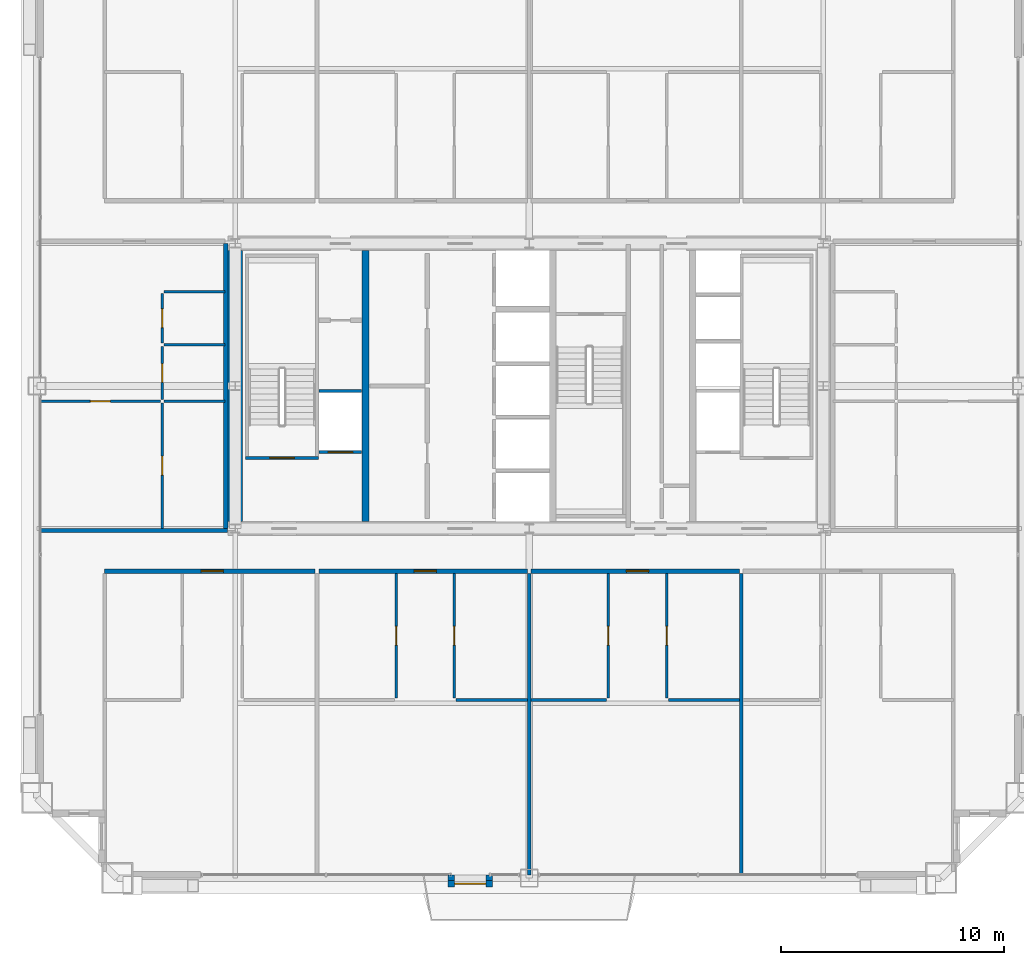
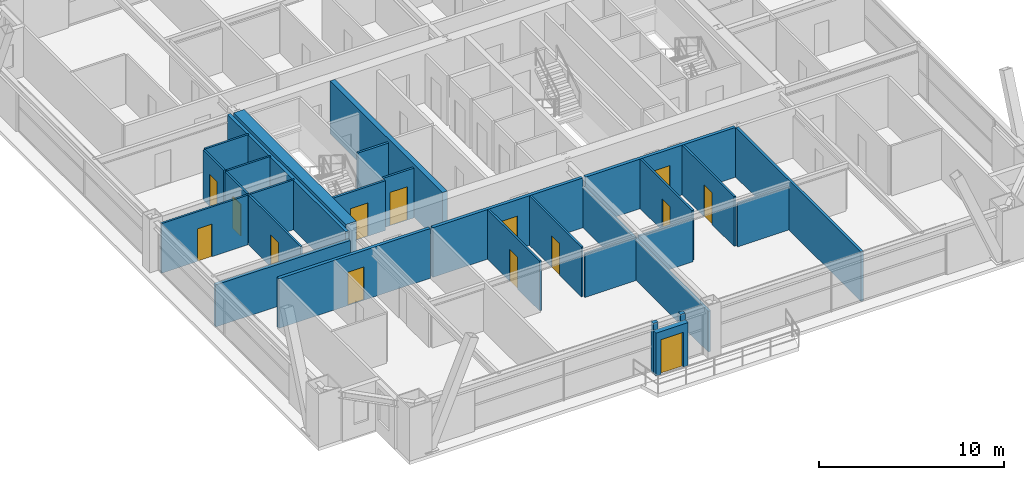
# One storey, part 37 of 42: 29 walls, 14 doors, 14 openings.
"""IFC4 building model written with IfcOpenShell, lengths in metres."""

import ifcopenshell
import ifcopenshell.guid

model = None  # the IFC model being written
_history = None  # IfcOwnerHistory: only IFC2X3 demands one
_inside = {}  # id of a spatial element -> (the spatial element, [elements in it])
_under = {}  # id of a project, library or spatial element -> (it, [spatial elements below it])
_declared = {}  # id of a project -> (the project, [libraries it declares])
_typed = {}  # id of a type object -> (the type object, [elements of that type])
_made_of = {}  # id of a material, layer set ... -> (it, [elements and type objects made of it])


def new_model(schema):
    """Start an empty IFC model of exactly this schema.

    Asked for "IFC4X3", IfcOpenShell would pick the latest addendum, in which some entities
    have other attributes; the version numbers below select the first issue.
    IFC2X3 requires an IfcOwnerHistory on every rooted entity: one is made here for all.
    """
    global model, _history
    if schema == "IFC4X3":
        model = ifcopenshell.file(schema_version=(4, 3, 0, 0))
    else:
        model = ifcopenshell.file(schema=schema)
    _inside.clear()
    _under.clear()
    _declared.clear()
    _typed.clear()
    _made_of.clear()
    _history = None
    if model.schema == "IFC2X3":
        org = make("IfcOrganization", Name="unknown")
        user = make(
            "IfcPersonAndOrganization",
            ThePerson=make("IfcPerson", FamilyName="unknown"),
            TheOrganization=org,
        )
        app = make(
            "IfcApplication",
            ApplicationDeveloper=org,
            Version="unknown",
            ApplicationFullName="unknown",
            ApplicationIdentifier="unknown",
        )
        _history = make(
            "IfcOwnerHistory",
            OwningUser=user,
            OwningApplication=app,
            ChangeAction="ADDED",
            CreationDate=0,
        )
    return model


def make(cls, **values):
    """One entity of the class cls with the attributes given. An attribute that is None is left unset."""
    return model.create_entity(
        cls, **{name: value for name, value in values.items() if value is not None}
    )


def rooted(cls, **values):
    """An entity with a GlobalId (a new one), such as an element, a storey or a relation."""
    return make(cls, GlobalId=ifcopenshell.guid.new(), OwnerHistory=_history, **values)


def si_unit(unit_type, name, prefix=None):
    """IfcSIUnit, for example si_unit("LENGTHUNIT", "METRE", prefix="MILLI")."""
    return make("IfcSIUnit", UnitType=unit_type, Prefix=prefix, Name=name)


def assignment(units):
    """IfcUnitAssignment: the units of a project."""
    return None if units is None else make("IfcUnitAssignment", Units=units)


def point(xyz):
    """IfcCartesianPoint."""
    return None if xyz is None else make("IfcCartesianPoint", Coordinates=xyz)


def direction(xyz):
    """IfcDirection."""
    return None if xyz is None else make("IfcDirection", DirectionRatios=xyz)


def frame(location, z_axis=None, x_axis=None):
    """IfcAxis2Placement3D, a coordinate frame: its origin and axes. An axis left out is left unset."""
    return make(
        "IfcAxis2Placement3D",
        Location=point(location),
        Axis=direction(z_axis),
        RefDirection=direction(x_axis),
    )


def frame_2d(location, x_axis=None):
    """IfcAxis2Placement2D, a coordinate frame in the plane: its origin and x axis."""
    return make(
        "IfcAxis2Placement2D", Location=point(location), RefDirection=direction(x_axis)
    )


def origin():
    """The frame at (0, 0, 0) with its axes left unset."""
    return frame((0.0, 0.0, 0.0))


def place(relative_to, where):
    """IfcLocalPlacement: puts the frame where relative to a parent placement (None: the world)."""
    return make(
        "IfcLocalPlacement", PlacementRelTo=relative_to, RelativePlacement=where
    )


def context(
    kind, dimensions, precision=None, world=None, true_north=None, identifier=None
):
    """IfcGeometricRepresentationContext, for example the 3D "Model" context."""
    return make(
        "IfcGeometricRepresentationContext",
        ContextIdentifier=identifier,
        ContextType=kind,
        CoordinateSpaceDimension=dimensions,
        Precision=precision,
        WorldCoordinateSystem=world,
        TrueNorth=true_north,
    )


def subcontext(parent, identifier, kind, view, scale=None):
    """IfcGeometricRepresentationSubContext, for example "Body" below "Model"."""
    return make(
        "IfcGeometricRepresentationSubContext",
        ContextIdentifier=identifier,
        ContextType=kind,
        ParentContext=parent,
        TargetScale=scale,
        TargetView=view,
    )


def project(units=None, contexts=None):
    """IfcProject with its units and contexts."""
    return rooted(
        "IfcProject",
        Name="project",
        RepresentationContexts=contexts,
        UnitsInContext=assignment(units),
    )


def spatial(cls, under=None, at=None, **own):
    """A site, building, storey or space (cls), placed at a placement, below another one or the project."""
    s = rooted(cls, ObjectPlacement=at, **own)
    if under is not None:
        _under.setdefault(under.id(), (under, []))[1].append(s)
    return s


def profile(cls, at=None, kind="AREA", **sizes):
    """A parametric profile (cls). Its sizes go by their IFC names, for example OverallWidth=200.0."""
    return make(cls, ProfileType=kind, Position=at, **sizes)


def rectangle(**sizes):
    """IfcRectangleProfileDef."""
    return profile("IfcRectangleProfileDef", **sizes)


def extrude(swept, where, along, depth):
    """IfcExtrudedAreaSolid: the profile swept, set in the frame where, extruded along a direction by depth."""
    return make(
        "IfcExtrudedAreaSolid",
        SweptArea=swept,
        Position=where,
        ExtrudedDirection=direction(along),
        Depth=depth,
    )


def shape(context_of_items, identifier, shape_type, items):
    """IfcShapeRepresentation: the items that make up one representation, for example the "Body"."""
    return make(
        "IfcShapeRepresentation",
        ContextOfItems=context_of_items,
        RepresentationIdentifier=identifier,
        RepresentationType=shape_type,
        Items=items,
    )


def source(mapping_origin, context_of_items, identifier, shape_type, items):
    """IfcRepresentationMap: a shape defined once, which mapped items show again and again."""
    return make(
        "IfcRepresentationMap",
        MappingOrigin=mapping_origin,
        MappedRepresentation=shape(context_of_items, identifier, shape_type, items),
    )


def transform(
    local_origin,
    x_axis=None,
    y_axis=None,
    z_axis=None,
    scale=None,
    scale2=None,
    scale3=None,
    uniform=True,
):
    """IfcCartesianTransformationOperator3D, or its non-uniform kind. x_axis, y_axis, z_axis: its Axis1, 2, 3."""
    if uniform:
        return make(
            "IfcCartesianTransformationOperator3D",
            Axis1=direction(x_axis),
            Axis2=direction(y_axis),
            LocalOrigin=point(local_origin),
            Scale=scale,
            Axis3=direction(z_axis),
        )
    return make(
        "IfcCartesianTransformationOperator3DnonUniform",
        Axis1=direction(x_axis),
        Axis2=direction(y_axis),
        LocalOrigin=point(local_origin),
        Scale=scale,
        Axis3=direction(z_axis),
        Scale2=scale2,
        Scale3=scale3,
    )


def mapped(mapping_source, mapping_target):
    """IfcMappedItem: shows the shape of a source again, moved by a transform."""
    return make(
        "IfcMappedItem", MappingSource=mapping_source, MappingTarget=mapping_target
    )


def material(Name=None, Category=None):
    """IfcMaterial."""
    return make("IfcMaterial", Name=Name, Category=Category)


def layer(
    of_material, thickness, ventilated=None, Name=None, Category=None, Priority=None
):
    """IfcMaterialLayer: one layer of a wall or slab, of a material (None: an air gap)."""
    return make(
        "IfcMaterialLayer",
        Material=of_material,
        LayerThickness=thickness,
        IsVentilated=ventilated,
        Name=Name,
        Category=Category,
        Priority=Priority,
    )


def layer_set(layers, Name=None):
    """IfcMaterialLayerSet."""
    return make("IfcMaterialLayerSet", MaterialLayers=layers, LayerSetName=Name)


def made_of(thing, what):
    """Note that an element or type object is made of a material, layer set ...; save() writes the relation."""
    if what is not None:
        _made_of.setdefault(what.id(), (what, []))[1].append(thing)
    return thing


def type_object(cls, material=None, **own):
    """A type object (cls), such as IfcWallType, which elements share."""
    return made_of(rooted(cls, **own), material)


def element(
    cls,
    number,
    at=None,
    inside=None,
    cuts=None,
    type_object=None,
    material=None,
    context=None,
    identifier="Body",
    shape_type=None,
    held_by="IfcProductDefinitionShape",
    body=None,
    shapes=None,
    **own,
):
    """One element of the class cls, such as IfcWall. Its Tag is "e" and its number.

    at: its placement. inside: the storey or other place that contains it. cuts: it is an
    opening in that element (IfcRelVoidsElement). A single representation is given by context,
    identifier, shape_type and body (its items); several are given by shapes. held_by: the class
    of the entity that holds the representations. save() writes the other relations.
    """
    e = rooted(cls, Tag="e%d" % number, ObjectPlacement=at, **own)
    if body is not None:
        shapes = [shape(context, identifier, shape_type, body)]
    if shapes is not None:
        e.Representation = make(held_by, Representations=shapes)
    if inside is not None:
        _inside.setdefault(inside.id(), (inside, []))[1].append(e)
    if cuts is not None:
        rooted(
            "IfcRelVoidsElement", RelatingBuildingElement=cuts, RelatedOpeningElement=e
        )
    if type_object is not None:
        _typed.setdefault(type_object.id(), (type_object, []))[1].append(e)
    return made_of(e, material)


def fill(opening, filler):
    """IfcRelFillsElement: the door or window that sits in an opening."""
    return rooted(
        "IfcRelFillsElement",
        RelatingOpeningElement=opening,
        RelatedBuildingElement=filler,
    )


def aggregate(whole, parts):
    """IfcRelAggregates: a whole, such as a stair, and the parts it consists of."""
    return rooted("IfcRelAggregates", RelatingObject=whole, RelatedObjects=parts)


def save(model, path):
    """Write the relations noted so far, then the file.

    IfcRelAggregates (storeys below a building ...), IfcRelContainedInSpatialStructure (elements
    in a storey), IfcRelDefinesByType, IfcRelAssociatesMaterial and IfcRelDeclares: one each for
    every whole, place, type object, material and project.
    """
    for whole, parts in _under.values():
        aggregate(whole, parts)
    for where, things in _inside.values():
        rooted(
            "IfcRelContainedInSpatialStructure",
            RelatedElements=things,
            RelatingStructure=where,
        )
    for kind, things in _typed.values():
        rooted("IfcRelDefinesByType", RelatedObjects=things, RelatingType=kind)
    for what, things in _made_of.values():
        rooted("IfcRelAssociatesMaterial", RelatedObjects=things, RelatingMaterial=what)
    for by, libraries in _declared.values():
        rooted("IfcRelDeclares", RelatingContext=by, RelatedDefinitions=libraries)
    model.write(path)


model = new_model("IFC4")

# Units and contexts
model_context = context("Model", 3, precision=1e-05, world=origin(), true_north=direction((0.0, 1.0)))
body_context = subcontext(model_context, "Body", "Model", "MODEL_VIEW")
ifc_project = project(units=[si_unit("LENGTHUNIT", "METRE"), si_unit("AREAUNIT", "SQUARE_METRE"), si_unit("VOLUMEUNIT", "CUBIC_METRE"), si_unit("PLANEANGLEUNIT", "RADIAN"), si_unit("MASSUNIT", "GRAM", prefix="KILO"), si_unit("THERMODYNAMICTEMPERATUREUNIT", "KELVIN"), si_unit("POWERUNIT", "WATT")], contexts=[model_context])

# Site, building, storey
site_placement = place(None, origin())
site = spatial("IfcSite", under=ifc_project, at=site_placement, CompositionType="ELEMENT")
building_placement = place(site_placement, origin())
building = spatial("IfcBuilding", under=site, at=building_placement, Name="Yuzanri Waterfront Tower", CompositionType="ELEMENT")
storey_placement = place(building_placement, frame((0.0, 0.0, 184.5)))
storey = spatial("IfcBuildingStorey", under=building, at=storey_placement, Name="L48", CompositionType="ELEMENT", Elevation=184.5)

# Wall, opening, door
ifc_material_1 = material(Name="Moisture-Resistant Gypsum Stud Wall", Category="gypsum")
ifc_layer_1 = layer(ifc_material_1, 0.1201171875)
ifc_layer_set_1 = layer_set([ifc_layer_1], Name="Moisture-Resistant Gypsum Stud Wall")
wall_type_1 = type_object("IfcWallType", Name="Bathroom and Kitchen Wet Partition 120", PredefinedType="PARTITIONING", material=ifc_layer_set_1)
wall_1_placement = place(storey_placement, frame((31.02392578125, 11.780029296875, 0.0), z_axis=(0.0, 0.0, 1.0), x_axis=(0.0, 1.0, 0.0)))
wall_1 = element("IfcWall", 1, at=wall_1_placement, inside=storey, type_object=wall_type_1, Name="L48 Partition UW-L48-RS2-SUB-1-E", PredefinedType="PARTITIONING", context=body_context, shape_type="SweptSolid", body=[
    extrude(rectangle(XDim=5.60986328125, YDim=0.1201171875, at=frame_2d((2.804931640625, 0.0))), origin(), (0.0, 0.0, 1.0), 3.280029296875),
])
opening_1_placement = place(wall_1_placement, frame((2.3798828125, 0.0, 0.0)))
opening_1 = element("IfcOpeningElement", 2, at=opening_1_placement, cuts=wall_1, Name="Opening ID-0850", PredefinedType="OPENING", context=body_context, shape_type="SweptSolid", body=[
    extrude(rectangle(XDim=0.85009765625, YDim=2.10009765625, at=frame_2d((0.425048828125, 1.050048828125))), frame((0.0, 0.074951171875, 0.0), z_axis=(0.0, -1.0, 0.0), x_axis=(1.0, 0.0, 0.0)), (0.0, 0.0, 1.0), 0.14990234375),
])
ifc_material_2 = material(Name="Moisture-Resistant Lacquered Timber", Category="wood")
door_type_1 = type_object("IfcDoorType", Name="En-Suite Bathroom and Kitchen Swing Door 850x2100", OperationType="NOTDEFINED", PredefinedType="DOOR", material=ifc_material_2)
shared_shape_1 = source(origin(), body_context, "Body", "SweptSolid", [
    extrude(rectangle(XDim=0.85009765625, YDim=2.10009765625, at=frame_2d((0.425048828125, 1.050048828125))), frame((0.0, 0.02490234375, 0.0), z_axis=(0.0, -1.0, 0.0), x_axis=(1.0, 0.0, 0.0)), (0.0, 0.0, 1.0), 0.050048828125),
])
door_1_placement = place(opening_1_placement, origin())
door_1 = element("IfcDoor", 3, at=door_1_placement, inside=storey, type_object=door_type_1, Name="L48 Suite Interior Room Door", OperationType="SINGLE_SWING_LEFT", OverallHeight=2.10009765625, OverallWidth=0.85009765625, PredefinedType="DOOR", context=body_context, shape_type="MappedRepresentation", body=[
    mapped(shared_shape_1, transform((0.0, 0.0, 0.0), scale=1.0)),
])
fill(opening_1, door_1)

wall_2_placement = place(storey_placement, frame((33.639892578125, 11.780029296875, 0.0), z_axis=(0.0, 0.0, 1.0), x_axis=(0.0, 1.0, 0.0)))
wall_2 = element("IfcWall", 4, at=wall_2_placement, inside=storey, type_object=wall_type_1, Name="L48 Partition UW-L48-RS2-SUB-2-W", PredefinedType="PARTITIONING", context=body_context, shape_type="SweptSolid", body=[
    extrude(rectangle(XDim=5.60986328125, YDim=0.1201171875, at=frame_2d((2.804931640625, 0.0))), origin(), (0.0, 0.0, 1.0), 3.280029296875),
])
opening_2_placement = place(wall_2_placement, frame((2.3798828125, 0.0, 0.0)))
opening_2 = element("IfcOpeningElement", 5, at=opening_2_placement, cuts=wall_2, Name="Opening ID-0850", PredefinedType="OPENING", context=body_context, shape_type="SweptSolid", body=[
    extrude(rectangle(XDim=0.85009765625, YDim=2.10009765625, at=frame_2d((0.425048828125, 1.050048828125))), frame((0.0, 0.074951171875, 0.0), z_axis=(0.0, -1.0, 0.0), x_axis=(1.0, 0.0, 0.0)), (0.0, 0.0, 1.0), 0.14990234375),
])
door_2_placement = place(opening_2_placement, origin())
door_2 = element("IfcDoor", 6, at=door_2_placement, inside=storey, type_object=door_type_1, Name="L48 Suite Interior Room Door", OperationType="SINGLE_SWING_RIGHT", OverallHeight=2.10009765625, OverallWidth=0.85009765625, PredefinedType="DOOR", context=body_context, shape_type="MappedRepresentation", body=[
    mapped(shared_shape_1, transform((0.0, 0.0, 0.0), scale=1.0)),
])
fill(opening_2, door_2)

wall_3_placement = place(storey_placement, frame((40.553955078125, 11.780029296875, 0.0), z_axis=(0.0, 0.0, 1.0), x_axis=(0.0, 1.0, 0.0)))
wall_3 = element("IfcWall", 7, at=wall_3_placement, inside=storey, type_object=wall_type_1, Name="L48 Partition UW-L48-RS3-SUB-1-E", PredefinedType="PARTITIONING", context=body_context, shape_type="SweptSolid", body=[
    extrude(rectangle(XDim=5.60986328125, YDim=0.1201171875, at=frame_2d((2.804931640625, 0.0))), origin(), (0.0, 0.0, 1.0), 3.280029296875),
])
opening_3_placement = place(wall_3_placement, frame((2.3798828125, 0.0, 0.0)))
opening_3 = element("IfcOpeningElement", 8, at=opening_3_placement, cuts=wall_3, Name="Opening ID-0850", PredefinedType="OPENING", context=body_context, shape_type="SweptSolid", body=[
    extrude(rectangle(XDim=0.85009765625, YDim=2.10009765625, at=frame_2d((0.425048828125, 1.050048828125))), frame((0.0, 0.074951171875, 0.0), z_axis=(0.0, -1.0, 0.0), x_axis=(1.0, 0.0, 0.0)), (0.0, 0.0, 1.0), 0.14990234375),
])
door_3_placement = place(opening_3_placement, origin())
door_3 = element("IfcDoor", 9, at=door_3_placement, inside=storey, type_object=door_type_1, Name="L48 Suite Interior Room Door", OperationType="SINGLE_SWING_RIGHT", OverallHeight=2.10009765625, OverallWidth=0.85009765625, PredefinedType="DOOR", context=body_context, shape_type="MappedRepresentation", body=[
    mapped(shared_shape_1, transform((0.0, 0.0, 0.0), scale=1.0)),
])
fill(opening_3, door_3)

wall_4_placement = place(storey_placement, frame((43.169921875, 11.780029296875, 0.0), z_axis=(0.0, 0.0, 1.0), x_axis=(0.0, 1.0, 0.0)))
wall_4 = element("IfcWall", 10, at=wall_4_placement, inside=storey, type_object=wall_type_1, Name="L48 Partition UW-L48-RS3-SUB-2-W", PredefinedType="PARTITIONING", context=body_context, shape_type="SweptSolid", body=[
    extrude(rectangle(XDim=5.60986328125, YDim=0.1201171875, at=frame_2d((2.804931640625, 0.0))), origin(), (0.0, 0.0, 1.0), 3.280029296875),
])
opening_4_placement = place(wall_4_placement, frame((2.3798828125, 0.0, 0.0)))
opening_4 = element("IfcOpeningElement", 11, at=opening_4_placement, cuts=wall_4, Name="Opening ID-0850", PredefinedType="OPENING", context=body_context, shape_type="SweptSolid", body=[
    extrude(rectangle(XDim=0.85009765625, YDim=2.10009765625, at=frame_2d((0.425048828125, 1.050048828125))), frame((0.0, 0.074951171875, 0.0), z_axis=(0.0, -1.0, 0.0), x_axis=(1.0, 0.0, 0.0)), (0.0, 0.0, 1.0), 0.14990234375),
])
door_4_placement = place(opening_4_placement, origin())
door_4 = element("IfcDoor", 12, at=door_4_placement, inside=storey, type_object=door_type_1, Name="L48 Suite Interior Room Door", OperationType="SINGLE_SWING_LEFT", OverallHeight=2.10009765625, OverallWidth=0.85009765625, PredefinedType="DOOR", context=body_context, shape_type="MappedRepresentation", body=[
    mapped(shared_shape_1, transform((0.0, 0.0, 0.0), scale=1.0)),
])
fill(opening_4, door_4)

wall_5_placement = place(storey_placement, frame((20.52001953125, 25.193115234375, 0.0), z_axis=(0.0, 0.0, 1.0), x_axis=(0.0, 1.0, 0.0)))
wall_5 = element("IfcWall", 13, at=wall_5_placement, inside=storey, type_object=wall_type_1, Name="L48 Partition UW-L48-RW1-SUB-1-W", PredefinedType="PARTITIONING", context=body_context, shape_type="SweptSolid", body=[
    extrude(rectangle(XDim=2.37890625, YDim=0.1201171875, at=frame_2d((1.189453125, 0.0))), origin(), (0.0, 0.0, 1.0), 3.280029296875),
])
opening_5_placement = place(wall_5_placement, frame((0.764404296875, 0.0, 0.0)))
opening_5 = element("IfcOpeningElement", 14, at=opening_5_placement, cuts=wall_5, Name="Opening ID-0850", PredefinedType="OPENING", context=body_context, shape_type="SweptSolid", body=[
    extrude(rectangle(XDim=0.85009765625, YDim=2.10009765625, at=frame_2d((0.425048828125, 1.050048828125))), frame((0.0, 0.074951171875, 0.0), z_axis=(0.0, -1.0, 0.0), x_axis=(1.0, 0.0, 0.0)), (0.0, 0.0, 1.0), 0.14990234375),
])
door_5_placement = place(opening_5_placement, origin())
door_5 = element("IfcDoor", 15, at=door_5_placement, inside=storey, type_object=door_type_1, Name="L48 Suite Interior Room Door", OperationType="SINGLE_SWING_RIGHT", OverallHeight=2.10009765625, OverallWidth=0.85009765625, PredefinedType="DOOR", context=body_context, shape_type="MappedRepresentation", body=[
    mapped(shared_shape_1, transform((0.0, 0.0, 0.0), scale=1.0)),
])
fill(opening_5, door_5)

wall_6_placement = place(storey_placement, frame((20.52001953125, 27.73193359375, 0.0), z_axis=(0.0, 0.0, 1.0), x_axis=(0.0, 1.0, 0.0)))
wall_6 = element("IfcWall", 16, at=wall_6_placement, inside=storey, type_object=wall_type_1, Name="L48 Partition UW-L48-RW1-SUB-2-W", PredefinedType="PARTITIONING", context=body_context, shape_type="SweptSolid", body=[
    extrude(rectangle(XDim=2.218994140625, YDim=0.1201171875, at=frame_2d((1.109375, 0.0))), origin(), (0.0, 0.0, 1.0), 3.280029296875),
])
opening_6_placement = place(wall_6_placement, frame((0.6845703125, 0.0, 0.0)))
opening_6 = element("IfcOpeningElement", 17, at=opening_6_placement, cuts=wall_6, Name="Opening ID-0850", PredefinedType="OPENING", context=body_context, shape_type="SweptSolid", body=[
    extrude(rectangle(XDim=0.85009765625, YDim=2.10009765625, at=frame_2d((0.425048828125, 1.050048828125))), frame((0.0, 0.074951171875, 0.0), z_axis=(0.0, -1.0, 0.0), x_axis=(1.0, 0.0, 0.0)), (0.0, 0.0, 1.0), 0.14990234375),
])
door_6_placement = place(opening_6_placement, origin())
door_6 = element("IfcDoor", 18, at=door_6_placement, inside=storey, type_object=door_type_1, Name="L48 Suite Interior Room Door", OperationType="SINGLE_SWING_LEFT", OverallHeight=2.10009765625, OverallWidth=0.85009765625, PredefinedType="DOOR", context=body_context, shape_type="MappedRepresentation", body=[
    mapped(shared_shape_1, transform((0.0, 0.0, 0.0), scale=1.0)),
])
fill(opening_6, door_6)

wall_7_placement = place(storey_placement, frame((15.050048828125, 25.113037109375, 0.0), z_axis=(0.0, 0.0, 1.0), x_axis=(1.0, 0.0, 0.0)))
wall_7 = element("IfcWall", 19, at=wall_7_placement, inside=storey, type_object=wall_type_1, Name="L48 Partition UW-L48-RW1-SUB-3-N", PredefinedType="PARTITIONING", context=body_context, shape_type="SweptSolid", body=[
    extrude(rectangle(XDim=5.389892578125, YDim=0.1201171875, at=frame_2d((2.69482421875, 0.0))), origin(), (0.0, 0.0, 1.0), 3.280029296875),
])
opening_7_placement = place(wall_7_placement, frame((2.2451171875, 0.0, 0.0)))
opening_7 = element("IfcOpeningElement", 20, at=opening_7_placement, cuts=wall_7, Name="Opening ID-0900", PredefinedType="OPENING", context=body_context, shape_type="SweptSolid", body=[
    extrude(rectangle(XDim=0.89990234375, YDim=2.14990234375, at=frame_2d((0.449951171875, 1.074951171875))), frame((0.0, 0.074951171875, 0.0), z_axis=(0.0, -1.0, 0.0), x_axis=(1.0, 0.0, 0.0)), (0.0, 0.0, 1.0), 0.14990234375),
])
ifc_material_3 = material(Name="Stained Walnut Veneer Timber", Category="wood")
door_type_2 = type_object("IfcDoorType", Name="Bedroom and Study Interior Swing Door 900x2150", OperationType="NOTDEFINED", PredefinedType="DOOR", material=ifc_material_3)
shared_shape_2 = source(origin(), body_context, "Body", "SweptSolid", [
    extrude(rectangle(XDim=0.89990234375, YDim=2.14990234375, at=frame_2d((0.449951171875, 1.074951171875))), frame((0.0, 0.02490234375, 0.0), z_axis=(0.0, -1.0, 0.0), x_axis=(1.0, 0.0, 0.0)), (0.0, 0.0, 1.0), 0.050048828125),
])
door_7_placement = place(opening_7_placement, origin())
door_7 = element("IfcDoor", 21, at=door_7_placement, inside=storey, type_object=door_type_2, Name="L48 Suite Interior Room Door", OperationType="SINGLE_SWING_RIGHT", OverallHeight=2.14990234375, OverallWidth=0.89990234375, PredefinedType="DOOR", context=body_context, shape_type="MappedRepresentation", body=[
    mapped(shared_shape_2, transform((0.0, 0.0, 0.0), scale=1.0)),
])
fill(opening_7, door_7)

wall_8_placement = place(storey_placement, frame((20.52001953125, 19.409912109375, 0.0), z_axis=(0.0, 0.0, 1.0), x_axis=(0.0, 1.0, 0.0)))
wall_8 = element("IfcWall", 22, at=wall_8_placement, inside=storey, type_object=wall_type_1, Name="L48 Partition UW-L48-RW1-SUB-3-E", PredefinedType="PARTITIONING", context=body_context, shape_type="SweptSolid", body=[
    extrude(rectangle(XDim=5.623046875, YDim=0.1201171875, at=frame_2d((2.8115234375, 0.0))), origin(), (0.0, 0.0, 1.0), 3.280029296875),
])
opening_8_placement = place(wall_8_placement, frame((2.386474609375, 0.0, 0.0)))
opening_8 = element("IfcOpeningElement", 23, at=opening_8_placement, cuts=wall_8, Name="Opening ID-0850", PredefinedType="OPENING", context=body_context, shape_type="SweptSolid", body=[
    extrude(rectangle(XDim=0.85009765625, YDim=2.10009765625, at=frame_2d((0.425048828125, 1.050048828125))), frame((0.0, 0.074951171875, 0.0), z_axis=(0.0, -1.0, 0.0), x_axis=(1.0, 0.0, 0.0)), (0.0, 0.0, 1.0), 0.14990234375),
])
door_8_placement = place(opening_8_placement, origin())
door_8 = element("IfcDoor", 24, at=door_8_placement, inside=storey, type_object=door_type_1, Name="L48 Suite Interior Room Door", OperationType="SINGLE_SWING_LEFT", OverallHeight=2.10009765625, OverallWidth=0.85009765625, PredefinedType="DOOR", context=body_context, shape_type="MappedRepresentation", body=[
    mapped(shared_shape_1, transform((0.0, 0.0, 0.0), scale=1.0)),
])
fill(opening_8, door_8)

ifc_material_4 = material(Name="Honed Chongqing Dark Basalt Stone", Category="masonry")
ifc_layer_2 = layer(ifc_material_4, 0.300048828125)
ifc_layer_set_2 = layer_set([ifc_layer_2], Name="Honed Chongqing Dark Basalt Stone")
wall_type_2 = type_object("IfcWallType", Name="Bronze Rainscreen Insulated Spandrel Portal Wall 300", PredefinedType="SOLIDWALL", material=ifc_layer_set_2)
wall_9_placement = place(storey_placement, frame((33.35009765625, 3.449951171875, 0.0), z_axis=(0.0, 0.0, 1.0), x_axis=(1.0, 0.0, 0.0)))
wall_9 = element("IfcWall", 25, at=wall_9_placement, inside=storey, type_object=wall_type_2, Name="L48 S Terrace Door Portal Wall", PredefinedType="SOLIDWALL", context=body_context, shape_type="SweptSolid", body=[
    extrude(rectangle(XDim=2.0, YDim=0.300048828125, at=frame_2d((1.0, 0.0))), origin(), (0.0, 0.0, 1.0), 2.8349609375),
])
opening_9_placement = place(wall_9_placement, frame((0.300048828125, 0.0, 0.0)))
opening_9 = element("IfcOpeningElement", 26, at=opening_9_placement, cuts=wall_9, Name="Opening TD-1400", PredefinedType="OPENING", context=body_context, shape_type="SweptSolid", body=[
    extrude(rectangle(XDim=1.39990234375, YDim=2.300048828125, at=frame_2d((0.699951171875, 1.14990234375))), frame((0.0, 0.1650390625, 0.0), z_axis=(0.0, -1.0, 0.0), x_axis=(1.0, 0.0, 0.0)), (0.0, 0.0, 1.0), 0.329833984375),
])
ifc_material_5 = material(Name="Anodized Architectural Bronze", Category="metal")
door_type_3 = type_object("IfcDoorType", Name="Anodized Bronze Balcony and Terrace Glazed Double Door 1400x2300", OperationType="NOTDEFINED", PredefinedType="DOOR", material=ifc_material_5)
shared_shape_3 = source(origin(), body_context, "Body", "SweptSolid", [
    extrude(rectangle(XDim=1.39990234375, YDim=2.300048828125, at=frame_2d((0.699951171875, 1.14990234375))), frame((0.0, 0.02490234375, 0.0), z_axis=(0.0, -1.0, 0.0), x_axis=(1.0, 0.0, 0.0)), (0.0, 0.0, 1.0), 0.050048828125),
])
door_9_placement = place(opening_9_placement, origin())
door_9 = element("IfcDoor", 27, at=door_9_placement, inside=storey, type_object=door_type_3, Name="L48 S Terrace Glazed Double Door", OperationType="DOUBLE_DOOR_SINGLE_SWING", OverallHeight=2.300048828125, OverallWidth=1.39990234375, PredefinedType="DOOR", context=body_context, shape_type="MappedRepresentation", body=[
    mapped(shared_shape_3, transform((0.0, 0.0, 0.0), scale=1.0)),
])
fill(opening_9, door_9)

ifc_material_6 = material(Name="Concrete C40", Category="concrete")
ifc_layer_3 = layer(ifc_material_6, 0.139892578125)
ifc_layer_set_3 = layer_set([ifc_layer_3], Name="Concrete C40")
wall_type_3 = type_object("IfcWallType", Name="Core Stair Liner and Hoistway Shaft Wall 140", PredefinedType="SOLIDWALL", material=ifc_layer_set_3)
wall_10_placement = place(storey_placement, frame((27.56005859375, 22.830078125, 0.0), z_axis=(0.0, 0.0, 1.0), x_axis=(1.0, 0.0, 0.0)))
wall_10 = element("IfcWall", 28, at=wall_10_placement, inside=storey, type_object=wall_type_3, Name="L48 Lift FL-01 Front Shaft Wall", PredefinedType="SOLIDWALL", context=body_context, shape_type="SweptSolid", body=[
    extrude(rectangle(XDim=1.919921875, YDim=0.139892578125, at=frame_2d((0.9599609375, 0.0))), origin(), (0.0, 0.0, 1.0), 3.280029296875),
])
opening_10_placement = place(wall_10_placement, frame((0.409912109375, 0.0, 0.0)))
opening_10 = element("IfcOpeningElement", 29, at=opening_10_placement, cuts=wall_10, Name="Opening LD-FL-01", PredefinedType="OPENING", context=body_context, shape_type="SweptSolid", body=[
    extrude(rectangle(XDim=1.10009765625, YDim=2.199951171875, at=frame_2d((0.550048828125, 1.10009765625))), frame((0.0, 0.0849609375, 0.0), z_axis=(0.0, -1.0, 0.0), x_axis=(1.0, 0.0, 0.0)), (0.0, 0.0, 1.0), 0.169677734375),
])
ifc_material_7 = material(Name="Brushed Bronze and Stainless Steel Cab", Category="steel")
door_type_4 = type_object("IfcDoorType", Name="Center-Parting Bronze Lift Landing Sliding Door 1100x2200", OperationType="NOTDEFINED", PredefinedType="DOOR", material=ifc_material_7)
shared_shape_4 = source(origin(), body_context, "Body", "SweptSolid", [
    extrude(rectangle(XDim=1.10009765625, YDim=2.199951171875, at=frame_2d((0.550048828125, 1.10009765625))), frame((0.0, 0.02490234375, 0.0), z_axis=(0.0, -1.0, 0.0), x_axis=(1.0, 0.0, 0.0)), (0.0, 0.0, 1.0), 0.050048828125),
])
door_10_placement = place(opening_10_placement, origin())
door_10 = element("IfcDoor", 30, at=door_10_placement, inside=storey, type_object=door_type_4, Name="L48 FL-01 Lift Landing Sliding Door", OperationType="SLIDING_TO_LEFT", OverallHeight=2.199951171875, OverallWidth=1.10009765625, PredefinedType="DOOR", context=body_context, shape_type="MappedRepresentation", body=[
    mapped(shared_shape_4, transform((0.0, 0.0, 0.0), scale=1.0)),
])
fill(opening_10, door_10)

wall_11_placement = place(storey_placement, frame((24.260009765625, 22.570068359375, 0.0), z_axis=(0.0, 0.0, 1.0), x_axis=(1.0, 0.0, 0.0)))
wall_11 = element("IfcWall", 31, at=wall_11_placement, inside=storey, type_object=wall_type_3, Name="L48 Shaft Wall STW-L48-ST-01-S", PredefinedType="SOLIDWALL", context=body_context, shape_type="SweptSolid", body=[
    extrude(rectangle(XDim=3.280029296875, YDim=0.139892578125, at=frame_2d((1.64013671875, 0.0))), origin(), (0.0, 0.0, 1.0), 3.280029296875),
])
opening_11_placement = place(wall_11_placement, frame((1.090087890625, 0.0, 0.0)))
opening_11 = element("IfcOpeningElement", 32, at=opening_11_placement, cuts=wall_11, Name="Opening FD-1100", PredefinedType="OPENING", context=body_context, shape_type="SweptSolid", body=[
    extrude(rectangle(XDim=1.10009765625, YDim=2.199951171875, at=frame_2d((0.550048828125, 1.10009765625))), frame((0.0, 0.0849609375, 0.0), z_axis=(0.0, -1.0, 0.0), x_axis=(1.0, 0.0, 0.0)), (0.0, 0.0, 1.0), 0.169677734375),
])
ifc_material_8 = material(Name="Painted Galvanized Fire Steel", Category="steel")
door_type_5 = type_object("IfcDoorType", Name="Smoke-Proof Stair and Lobby Fire Door 1100x2200", OperationType="NOTDEFINED", PredefinedType="DOOR", material=ifc_material_8)
shared_shape_5 = source(origin(), body_context, "Body", "SweptSolid", [
    extrude(rectangle(XDim=1.10009765625, YDim=2.199951171875, at=frame_2d((0.550048828125, 1.10009765625))), frame((0.0, 0.02490234375, 0.0), z_axis=(0.0, -1.0, 0.0), x_axis=(1.0, 0.0, 0.0)), (0.0, 0.0, 1.0), 0.050048828125),
])
door_11_placement = place(opening_11_placement, origin())
door_11 = element("IfcDoor", 33, at=door_11_placement, inside=storey, type_object=door_type_5, Name="L48 Stair ST-01 Fire Door", OperationType="SINGLE_SWING_RIGHT", OverallHeight=2.199951171875, OverallWidth=1.10009765625, PredefinedType="DOOR", context=body_context, shape_type="MappedRepresentation", body=[
    mapped(shared_shape_5, transform((0.0, 0.0, 0.0), scale=1.0)),
])
fill(opening_11, door_11)

ifc_material_9 = material(Name="Autoclaved Aerated Concrete Blockwork", Category="masonry")
ifc_layer_4 = layer(ifc_material_9, 0.199951171875)
ifc_layer_set_4 = layer_set([ifc_layer_4], Name="Autoclaved Aerated Concrete Blockwork")
wall_type_4 = type_object("IfcWallType", Name="Corridor and Unit Party Fire Wall 200", PredefinedType="PARTITIONING", material=ifc_layer_set_4)
wall_12_placement = place(storey_placement, frame((17.93994140625, 17.489990234375, 0.0), z_axis=(0.0, 0.0, 1.0), x_axis=(1.0, 0.0, 0.0)))
wall_12 = element("IfcWall", 34, at=wall_12_placement, inside=storey, type_object=wall_type_4, Name="L48 Partition UW-L48-RS1-CN", PredefinedType="PARTITIONING", context=body_context, shape_type="SweptSolid", body=[
    extrude(rectangle(XDim=9.449951171875, YDim=0.199951171875, at=frame_2d((4.72509765625, 0.0))), origin(), (0.0, 0.0, 1.0), 3.280029296875),
])
opening_12_placement = place(wall_12_placement, frame((4.324951171875, 0.0, 0.0)))
opening_12 = element("IfcOpeningElement", 35, at=opening_12_placement, cuts=wall_12, Name="Opening FD-1000", PredefinedType="OPENING", context=body_context, shape_type="SweptSolid", body=[
    extrude(rectangle(XDim=1.0, YDim=2.199951171875, at=frame_2d((0.5, 1.10009765625))), frame((0.0, 0.11474609375, 0.0), z_axis=(0.0, -1.0, 0.0), x_axis=(1.0, 0.0, 0.0)), (0.0, 0.0, 1.0), 0.229736328125),
])
ifc_material_10 = material(Name="Engineered Oak Fire-Rated Timber", Category="wood")
door_type_6 = type_object("IfcDoorType", Name="Guestroom and Apartment Entrance Fire Door 1000x2200", OperationType="NOTDEFINED", PredefinedType="DOOR", material=ifc_material_10)
shared_shape_6 = source(origin(), body_context, "Body", "SweptSolid", [
    extrude(rectangle(XDim=1.0, YDim=2.199951171875, at=frame_2d((0.5, 1.10009765625))), frame((0.0, 0.02490234375, 0.0), z_axis=(0.0, -1.0, 0.0), x_axis=(1.0, 0.0, 0.0)), (0.0, 0.0, 1.0), 0.050048828125),
])
door_12_placement = place(opening_12_placement, origin())
door_12 = element("IfcDoor", 36, at=door_12_placement, inside=storey, type_object=door_type_6, Name="L48 Studio Living and Sleeping Room Entrance Door", OperationType="SINGLE_SWING_LEFT", OverallHeight=2.199951171875, OverallWidth=1.0, PredefinedType="DOOR", context=body_context, shape_type="MappedRepresentation", body=[
    mapped(shared_shape_6, transform((0.0, 0.0, 0.0), scale=1.0)),
])
fill(opening_12, door_12)

wall_13_placement = place(storey_placement, frame((27.550048828125, 17.489990234375, 0.0), z_axis=(0.0, 0.0, 1.0), x_axis=(1.0, 0.0, 0.0)))
wall_13 = element("IfcWall", 37, at=wall_13_placement, inside=storey, type_object=wall_type_4, Name="L48 Partition UW-L48-RS2-CN", PredefinedType="PARTITIONING", context=body_context, shape_type="SweptSolid", body=[
    extrude(rectangle(XDim=9.369873046875, YDim=0.199951171875, at=frame_2d((4.68505859375, 0.0))), origin(), (0.0, 0.0, 1.0), 3.280029296875),
])
opening_13_placement = place(wall_13_placement, frame((4.281982421875, 0.0, 0.0)))
opening_13 = element("IfcOpeningElement", 38, at=opening_13_placement, cuts=wall_13, Name="Opening FD-1000", PredefinedType="OPENING", context=body_context, shape_type="SweptSolid", body=[
    extrude(rectangle(XDim=1.0, YDim=2.199951171875, at=frame_2d((0.5, 1.10009765625))), frame((0.0, 0.11474609375, 0.0), z_axis=(0.0, -1.0, 0.0), x_axis=(1.0, 0.0, 0.0)), (0.0, 0.0, 1.0), 0.229736328125),
])
door_13_placement = place(opening_13_placement, origin())
door_13 = element("IfcDoor", 39, at=door_13_placement, inside=storey, type_object=door_type_6, Name="L48 Studio Living and Sleeping Room Entrance Door", OperationType="SINGLE_SWING_RIGHT", OverallHeight=2.199951171875, OverallWidth=1.0, PredefinedType="DOOR", context=body_context, shape_type="MappedRepresentation", body=[
    mapped(shared_shape_6, transform((0.0, 0.0, 0.0), scale=1.0)),
])
fill(opening_13, door_13)

wall_14_placement = place(storey_placement, frame((37.080078125, 17.489990234375, 0.0), z_axis=(0.0, 0.0, 1.0), x_axis=(1.0, 0.0, 0.0)))
wall_14 = element("IfcWall", 40, at=wall_14_placement, inside=storey, type_object=wall_type_4, Name="L48 Partition UW-L48-RS3-CN", PredefinedType="PARTITIONING", context=body_context, shape_type="SweptSolid", body=[
    extrude(rectangle(XDim=9.369873046875, YDim=0.199951171875, at=frame_2d((4.68505859375, 0.0))), origin(), (0.0, 0.0, 1.0), 3.280029296875),
])
opening_14_placement = place(wall_14_placement, frame((4.281982421875, 0.0, 0.0)))
opening_14 = element("IfcOpeningElement", 41, at=opening_14_placement, cuts=wall_14, Name="Opening FD-1000", PredefinedType="OPENING", context=body_context, shape_type="SweptSolid", body=[
    extrude(rectangle(XDim=1.0, YDim=2.199951171875, at=frame_2d((0.5, 1.10009765625))), frame((0.0, 0.11474609375, 0.0), z_axis=(0.0, -1.0, 0.0), x_axis=(1.0, 0.0, 0.0)), (0.0, 0.0, 1.0), 0.229736328125),
])
door_14_placement = place(opening_14_placement, origin())
door_14 = element("IfcDoor", 42, at=door_14_placement, inside=storey, type_object=door_type_6, Name="L48 Studio Living and Sleeping Room Entrance Door", OperationType="SINGLE_SWING_LEFT", OverallHeight=2.199951171875, OverallWidth=1.0, PredefinedType="DOOR", context=body_context, shape_type="MappedRepresentation", body=[
    mapped(shared_shape_6, transform((0.0, 0.0, 0.0), scale=1.0)),
])
fill(opening_14, door_14)

# Walls
ifc_material_11 = material(Name="Concrete C50", Category="concrete")
ifc_layer_5 = layer(ifc_material_11, 0.64990234375)
ifc_layer_set_5 = layer_set([ifc_layer_5], Name="Concrete C50")
wall_type_5 = type_object("IfcWallType", Name="Concrete C50 Mid Zone Core Shear Wall 650", PredefinedType="SHEAR", material=ifc_layer_set_5)
shared_shape_7 = source(origin(), body_context, "Body", "SweptSolid", [
    extrude(rectangle(XDim=12.14990234375, YDim=0.64990234375, at=frame_2d((6.074951171875, 0.0))), origin(), (0.0, 0.0, 1.0), 3.5),
])
wall_15_placement = place(storey_placement, frame((23.800048828125, 19.72509765625, 0.0), z_axis=(0.0, 0.0, 1.0), x_axis=(0.0, 1.0, 0.0)))
element("IfcWall", 43, at=wall_15_placement, inside=storey, type_object=wall_type_5, Name="L48 Core West Shear Wall", PredefinedType="SHEAR", context=body_context, shape_type="MappedRepresentation", body=[
    mapped(shared_shape_7, transform((0.0, 0.0, 0.0), scale=1.0)),
])
ifc_material_12 = material(Name="Concrete C50", Category="concrete")
ifc_layer_6 = layer(ifc_material_12, 0.300048828125)
ifc_layer_set_6 = layer_set([ifc_layer_6], Name="Concrete C50")
wall_type_6 = type_object("IfcWallType", Name="Concrete C50 Internal Core Shaft Structural Wall 300", PredefinedType="SOLIDWALL", material=ifc_layer_set_6)
shared_shape_8 = source(origin(), body_context, "Body", "SweptSolid", [
    extrude(rectangle(XDim=12.14990234375, YDim=0.300048828125, at=frame_2d((6.074951171875, 0.0))), origin(), (0.0, 0.0, 1.0), 3.5),
])
wall_16_placement = place(storey_placement, frame((29.64990234375, 19.72509765625, 0.0), z_axis=(0.0, 0.0, 1.0), x_axis=(0.0, 1.0, 0.0)))
element("IfcWall", 44, at=wall_16_placement, inside=storey, type_object=wall_type_6, Name="L48 Core Internal Structural Web Wall 1", PredefinedType="SOLIDWALL", context=body_context, shape_type="MappedRepresentation", body=[
    mapped(shared_shape_8, transform((0.0, 0.0, 0.0), scale=1.0)),
])
shared_shape_9 = source(origin(), body_context, "Body", "SweptSolid", [
    extrude(rectangle(XDim=0.25, YDim=0.300048828125, at=frame_2d((0.125, 0.0))), origin(), (0.0, 0.0, 1.0), 3.280029296875),
])
for number, where, z_axis, x_axis, name in (
    (45, (33.5, 3.85009765625, 0.0), (0.0, 0.0, 1.0), (0.0, -1.0, 0.0), "L48 S Terrace Portal Left Return"),
    (46, (35.199951171875, 3.60009765625, 0.0), (0.0, 0.0, 1.0), (0.0, 1.0, 0.0), "L48 S Terrace Portal Right Return"),
):
    element("IfcWall", number, at=place(storey_placement, frame(where, z_axis=z_axis, x_axis=x_axis)), inside=storey, type_object=wall_type_2, Name=name, PredefinedType="SOLIDWALL", context=body_context, shape_type="MappedRepresentation", body=[
        mapped(shared_shape_9, transform((0.0, 0.0, 0.0), scale=1.0)),
    ])
shared_shape_10 = source(origin(), body_context, "Body", "SweptSolid", [
    extrude(rectangle(XDim=1.919921875, YDim=0.139892578125, at=frame_2d((0.9599609375, 0.0))), origin(), (0.0, 0.0, 1.0), 3.280029296875),
])
wall_17_placement = place(storey_placement, frame((27.56005859375, 25.570068359375, 0.0), z_axis=(0.0, 0.0, 1.0), x_axis=(1.0, 0.0, 0.0)))
element("IfcWall", 47, at=wall_17_placement, inside=storey, type_object=wall_type_3, Name="L48 Lift FL-01 Back Shaft Wall", PredefinedType="SOLIDWALL", context=body_context, shape_type="MappedRepresentation", body=[
    mapped(shared_shape_10, transform((0.0, 0.0, 0.0), scale=1.0)),
])
ifc_material_13 = material(Name="Gypsum Fireboard Acoustic Stud Wall", Category="gypsum")
ifc_layer_7 = layer(ifc_material_13, 0.159912109375)
ifc_layer_set_7 = layer_set([ifc_layer_7], Name="Gypsum Fireboard Acoustic Stud Wall")
wall_type_7 = type_object("IfcWallType", Name="Acoustic Suite Demising Partition 160", PredefinedType="PARTITIONING", material=ifc_layer_set_7)
shared_shape_11 = source(origin(), body_context, "Body", "SweptSolid", [
    extrude(rectangle(XDim=13.539794921875, YDim=0.159912109375, at=frame_2d((6.77001953125, 0.0))), origin(), (0.0, 0.0, 1.0), 3.280029296875),
])
wall_18_placement = place(storey_placement, frame((46.530029296875, 3.85009765625, 0.0), z_axis=(0.0, 0.0, 1.0), x_axis=(0.0, 1.0, 0.0)))
element("IfcWall", 48, at=wall_18_placement, inside=storey, type_object=wall_type_7, Name="L48-RS3 Party Wall", PredefinedType="PARTITIONING", context=body_context, shape_type="MappedRepresentation", body=[
    mapped(shared_shape_11, transform((0.0, 0.0, 0.0), scale=1.0)),
])
shared_shape_12 = source(origin(), body_context, "Body", "SweptSolid", [
    extrude(rectangle(XDim=3.199951171875, YDim=0.1201171875, at=frame_2d((1.60009765625, 0.0))), origin(), (0.0, 0.0, 1.0), 2.875),
])
for number, where, z_axis, x_axis, name in (
    (49, (33.719970703125, 11.699951171875, 0.0), (0.0, 0.0, 1.0), (1.0, 0.0, 0.0), "L48 Partition UW-L48-RS2-SUB-2-S"),
    (50, (43.25, 11.699951171875, 0.0), (0.0, 0.0, 1.0), (1.0, 0.0, 0.0), "L48 Partition UW-L48-RS3-SUB-2-S"),
):
    element("IfcWall", number, at=place(storey_placement, frame(where, z_axis=z_axis, x_axis=x_axis)), inside=storey, type_object=wall_type_1, Name=name, PredefinedType="PARTITIONING", context=body_context, shape_type="MappedRepresentation", body=[
        mapped(shared_shape_12, transform((0.0, 0.0, 0.0), scale=1.0)),
    ])
shared_shape_13 = source(origin(), body_context, "Body", "SweptSolid", [
    extrude(rectangle(XDim=13.539794921875, YDim=0.159912109375, at=frame_2d((6.77001953125, 0.0))), origin(), (0.0, 0.0, 1.0), 2.68701171875),
])
wall_19_placement = place(storey_placement, frame((37.0, 3.85009765625, 0.0), z_axis=(0.0, 0.0, 1.0), x_axis=(0.0, 1.0, 0.0)))
element("IfcWall", 51, at=wall_19_placement, inside=storey, type_object=wall_type_7, Name="L48-RS2 Party Wall", PredefinedType="PARTITIONING", context=body_context, shape_type="MappedRepresentation", body=[
    mapped(shared_shape_13, transform((0.0, 0.0, 0.0), scale=1.0)),
])
shared_shape_14 = source(origin(), body_context, "Body", "SweptSolid", [
    extrude(rectangle(XDim=3.39404296875, YDim=0.1201171875, at=frame_2d((1.697021484375, 0.0))), origin(), (0.0, 0.0, 1.0), 2.875),
])
wall_20_placement = place(storey_placement, frame((37.080078125, 11.699951171875, 0.0), z_axis=(0.0, 0.0, 1.0), x_axis=(1.0, 0.0, 0.0)))
element("IfcWall", 52, at=wall_20_placement, inside=storey, type_object=wall_type_1, Name="L48 Partition UW-L48-RS3-SUB-1-S", PredefinedType="PARTITIONING", context=body_context, shape_type="MappedRepresentation", body=[
    mapped(shared_shape_14, transform((0.0, 0.0, 0.0), scale=1.0)),
])
shared_shape_15 = source(origin(), body_context, "Body", "SweptSolid", [
    extrude(rectangle(XDim=8.39990234375, YDim=0.199951171875, at=frame_2d((4.199951171875, 0.0))), origin(), (0.0, 0.0, 1.0), 2.77490234375),
])
wall_21_placement = place(storey_placement, frame((15.050048828125, 19.31005859375, 0.0), z_axis=(0.0, 0.0, 1.0), x_axis=(1.0, 0.0, 0.0)))
element("IfcWall", 53, at=wall_21_placement, inside=storey, type_object=wall_type_4, Name="L48-RW1 Wing South Wall", PredefinedType="PARTITIONING", context=body_context, shape_type="MappedRepresentation", body=[
    mapped(shared_shape_15, transform((0.0, 0.0, 0.0), scale=1.0)),
])
shared_shape_16 = source(origin(), body_context, "Body", "SweptSolid", [
    extrude(rectangle(XDim=12.780029296875, YDim=0.199951171875, at=frame_2d((6.39013671875, 0.0))), origin(), (0.0, 0.0, 1.0), 3.280029296875),
])
wall_22_placement = place(storey_placement, frame((23.3701171875, 19.409912109375, 0.0), z_axis=(0.0, 0.0, 1.0), x_axis=(0.0, 1.0, 0.0)))
element("IfcWall", 54, at=wall_22_placement, inside=storey, type_object=wall_type_4, Name="L48-RW1 Wing Inner Core-Side Wall", PredefinedType="PARTITIONING", context=body_context, shape_type="MappedRepresentation", body=[
    mapped(shared_shape_16, transform((0.0, 0.0, 0.0), scale=1.0)),
])
shared_shape_17 = source(origin(), body_context, "Body", "SweptSolid", [
    extrude(rectangle(XDim=2.75, YDim=0.1201171875, at=frame_2d((1.375, 0.0))), origin(), (0.0, 0.0, 1.0), 3.280029296875),
])
for number, where, z_axis, x_axis, name in (
    (55, (20.60009765625, 25.113037109375, 0.0), (0.0, 0.0, 1.0), (1.0, 0.0, 0.0), "L48 Partition UW-L48-RW1-SUB-1-S"),
    (56, (20.60009765625, 27.652099609375, 0.0), (0.0, 0.0, 1.0), (1.0, 0.0, 0.0), "L48 Partition UW-L48-RW1-SUB-1-N"),
    (57, (20.60009765625, 30.031005859375, 0.0), (0.0, 0.0, 1.0), (1.0, 0.0, 0.0), "L48 Partition UW-L48-RW1-SUB-2-N"),
):
    element("IfcWall", number, at=place(storey_placement, frame(where, z_axis=z_axis, x_axis=x_axis)), inside=storey, type_object=wall_type_1, Name=name, PredefinedType="PARTITIONING", context=body_context, shape_type="MappedRepresentation", body=[
        mapped(shared_shape_17, transform((0.0, 0.0, 0.0), scale=1.0)),
    ])

save(model, "model.ifc")
